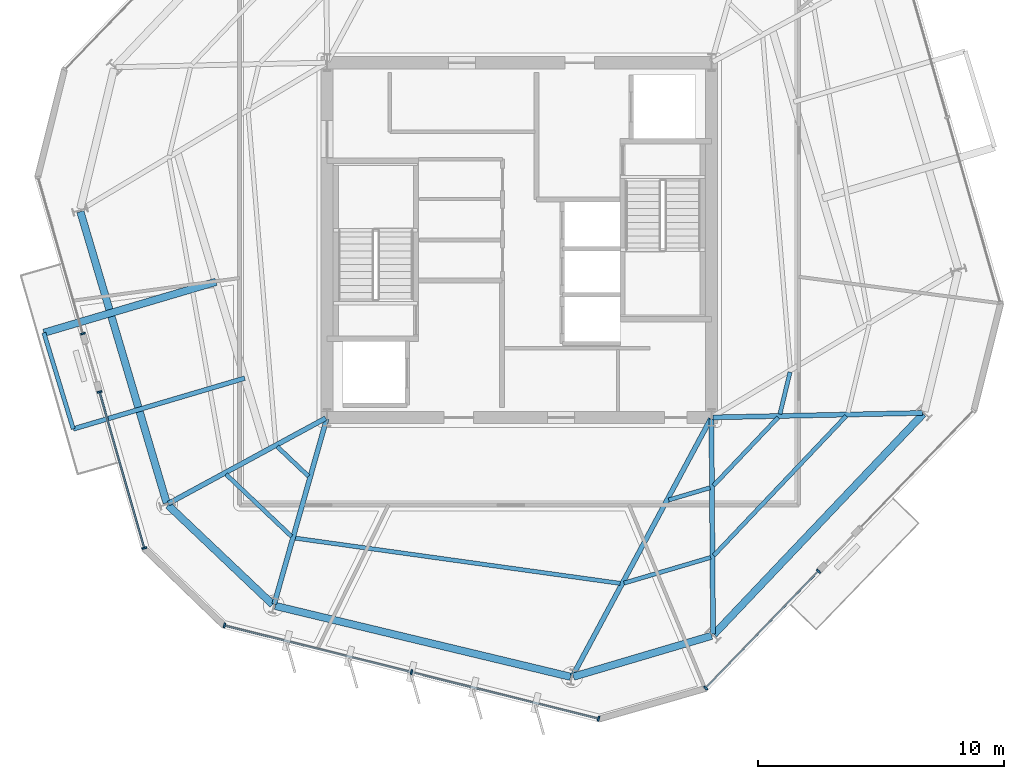
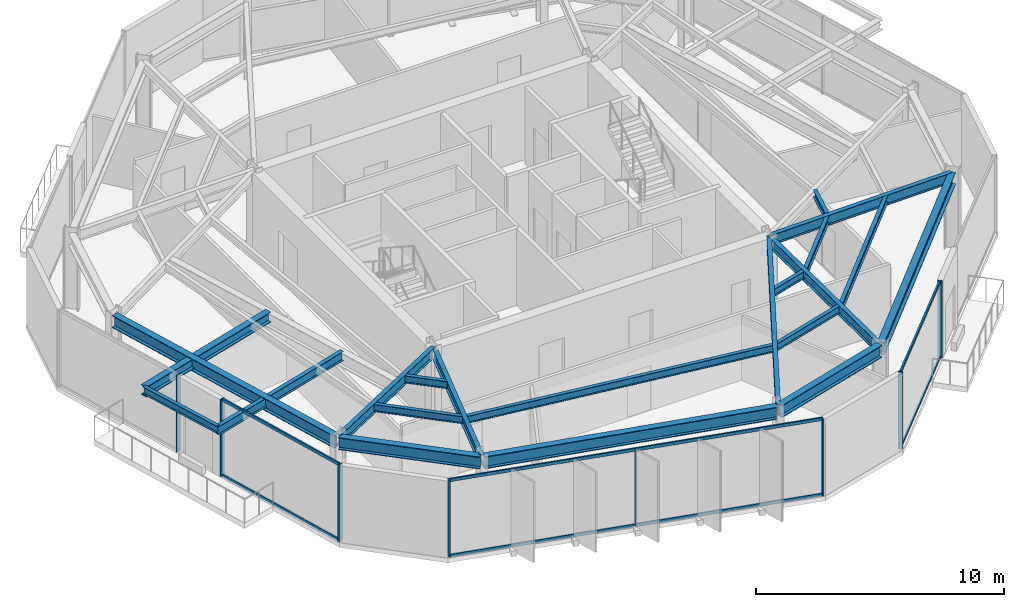
# One storey, part 2 of 11: 21 beams, 16 members, 4 elements without a shape of their own.
"""IFC4 building model written with IfcOpenShell, lengths in metres."""

from ifc_helpers import new_model, si_unit, direction, frame, origin, origin_2d, place, context, subcontext, project, spatial, rectangle, i_section, extrude, material, layer, layer_set, material_profile, profile_set, type_object, element, aggregate, save


model = new_model("IFC4")

# Units and contexts
model_context = context("Model", 3, precision=1e-05, world=origin(), true_north=direction((0.0, 1.0)))
body_context = subcontext(model_context, "Body", "Model", "MODEL_VIEW")
ifc_project = project(units=[si_unit("LENGTHUNIT", "METRE"), si_unit("AREAUNIT", "SQUARE_METRE"), si_unit("VOLUMEUNIT", "CUBIC_METRE"), si_unit("PLANEANGLEUNIT", "RADIAN"), si_unit("MASSUNIT", "GRAM", prefix="KILO")], contexts=[model_context])

# Site, building, storey
site_placement = place(None, origin())
site = spatial("IfcSite", under=ifc_project, at=site_placement, CompositionType="ELEMENT")
building_placement = place(site_placement, origin())
building = spatial("IfcBuilding", under=site, at=building_placement, Name="Kranzbogen Civic Tower", CompositionType="ELEMENT")
storey_placement = place(building_placement, frame((0.0, 0.0, 208.800048828125)))
storey = spatial("IfcBuildingStorey", under=building, at=storey_placement, Name="L50", CompositionType="ELEMENT", Elevation=208.800048828125)

# Beam
ifc_material_1 = material(Name="Steel S355", Category="steel")
ifc_material_profile_1 = material_profile(ifc_material_1, i_section(OverallWidth=0.18994140625, OverallDepth=0.449951171875, WebThickness=0.009521484375, FlangeThickness=0.0146484375, at=origin_2d()), Name="IPE 450")
ifc_profile_set_1 = profile_set([ifc_material_profile_1], Name="Steel S355")
beam_type_1 = type_object("IfcBeamType", Name="Braced Terrace Edge Beam IPE 450", PredefinedType="BEAM", material=ifc_profile_set_1)
beam_1_placement = place(storey_placement, frame((13.85791015625, 19.39404296875, 3.52490234375), z_axis=(-0.958820509995, -0.284012727908, 0.0), x_axis=(0.284012727908, -0.958820509995, 0.0)))
element("IfcBeam", 1, at=beam_1_placement, inside=storey, type_object=beam_type_1, Name="L51 back-spanned terrace beam L51-TB1-2", PredefinedType="BEAM", context=body_context, shape_type="SweptSolid", body=[
    extrude(i_section(OverallWidth=0.18994140625, OverallDepth=0.449951171875, WebThickness=0.009521484375, FlangeThickness=0.0146484375, at=origin_2d()), origin(), (0.0, 0.0, 1.0), 7.2568359375),
])

# Curtain wall, member
ifc_material_2 = material(Name="Pale Anodised Aluminium", Category="aluminium")
ifc_layer = layer(ifc_material_2, 0.219970703125, Name="Pale Anodised Aluminium")
ifc_layer_set = layer_set([ifc_layer], Name="Pale Anodised Aluminium")
curtain_wall_type = type_object("IfcCurtainWallType", Name="Zone 3 Stick Curtain Wall System CW-04", PredefinedType="USERDEFINED", material=ifc_layer_set)
curtain_wall_1_placement = place(storey_placement, origin())
curtain_wall_1 = element("IfcCurtainWall", 2, at=curtain_wall_1_placement, inside=storey, type_object=curtain_wall_type, Name="L50 curtain wall CW-L50-F3-S1", ObjectType="STICK CURTAIN WALL", PredefinedType="USERDEFINED")
ifc_material_profile_2 = material_profile(ifc_material_2, rectangle(XDim=0.070068359375, YDim=0.199951171875, at=origin_2d()), Name="ALU-M 70x200")
ifc_profile_set_2 = profile_set([ifc_material_profile_2], Name="Pale Anodised Aluminium")
member_type_1 = type_object("IfcMemberType", Name="Curtain Wall Mullion ALU-M 70x200", PredefinedType="MULLION", material=ifc_profile_set_2)
member_1_placement = place(storey_placement, frame((7.289794921875, 21.200927734375, 0.0), z_axis=(0.0, 0.0, 1.0), x_axis=(0.275594278919, -0.961274046996, 0.0)))
member_1 = element("IfcMember", 3, at=member_1_placement, type_object=member_type_1, Name="CW-04 mullion 2", PredefinedType="MULLION", context=body_context, shape_type="SweptSolid", body=[
    extrude(rectangle(XDim=0.070068359375, YDim=0.199951171875, at=origin_2d()), origin(), (0.0, 0.0, 1.0), 3.780029296875),
])
aggregate(curtain_wall_1, [member_1])

# Curtain wall, members
curtain_wall_2_placement = place(storey_placement, origin())
curtain_wall_2 = element("IfcCurtainWall", 4, at=curtain_wall_2_placement, inside=storey, type_object=curtain_wall_type, Name="L50 curtain wall CW-L50-F3-S2", ObjectType="STICK CURTAIN WALL", PredefinedType="USERDEFINED")
member_2_placement = place(storey_placement, frame((7.96728515625, 18.836181640625, 0.0), z_axis=(0.0, 0.0, 1.0), x_axis=(0.275634094063, -0.961262631225, 0.0)))
member_2 = element("IfcMember", 5, at=member_2_placement, type_object=member_type_1, Name="CW-04 mullion 1", PredefinedType="MULLION", context=body_context, shape_type="SweptSolid", body=[
    extrude(rectangle(XDim=0.070068359375, YDim=0.199951171875, at=origin_2d()), origin(), (0.0, 0.0, 1.0), 3.780029296875),
])
member_3_placement = place(storey_placement, frame((9.78466796875, 12.497802734375, 0.0), z_axis=(0.0, 0.0, 1.0), x_axis=(0.275634094063, -0.961262631225, 0.0)))
member_3 = element("IfcMember", 6, at=member_3_placement, type_object=member_type_1, Name="CW-04 mullion 2", PredefinedType="MULLION", context=body_context, shape_type="SweptSolid", body=[
    extrude(rectangle(XDim=0.070068359375, YDim=0.199951171875, at=origin_2d()), origin(), (0.0, 0.0, 1.0), 3.780029296875),
])

curtain_wall_3_placement = place(storey_placement, origin())
curtain_wall_3 = element("IfcCurtainWall", 7, at=curtain_wall_3_placement, inside=storey, type_object=curtain_wall_type, Name="L50 curtain wall CW-L50-F4", ObjectType="STICK CURTAIN WALL", PredefinedType="USERDEFINED")
member_4_placement = place(storey_placement, frame((13.0361328125, 9.357666015625, 0.0), z_axis=(0.0, 0.0, 1.0), x_axis=(0.970299572817, -0.241906467442, 0.0)))
member_4 = element("IfcMember", 8, at=member_4_placement, type_object=member_type_1, Name="CW-04 mullion 1", PredefinedType="MULLION", context=body_context, shape_type="SweptSolid", body=[
    extrude(rectangle(XDim=0.070068359375, YDim=0.199951171875, at=origin_2d()), origin(), (0.0, 0.0, 1.0), 3.780029296875),
])
member_5_placement = place(storey_placement, frame((20.6279296875, 7.465087890625, 0.0), z_axis=(0.0, 0.0, 1.0), x_axis=(0.970299572817, -0.241906467442, 0.0)))
member_5 = element("IfcMember", 9, at=member_5_placement, type_object=member_type_1, Name="CW-04 mullion 2", PredefinedType="MULLION", context=body_context, shape_type="SweptSolid", body=[
    extrude(rectangle(XDim=0.070068359375, YDim=0.199951171875, at=origin_2d()), origin(), (0.0, 0.0, 1.0), 3.780029296875),
])
member_6_placement = place(storey_placement, frame((28.219970703125, 5.572265625, 0.0), z_axis=(0.0, 0.0, 1.0), x_axis=(0.970299572817, -0.241906467442, 0.0)))
member_6 = element("IfcMember", 10, at=member_6_placement, type_object=member_type_1, Name="CW-04 mullion 3", PredefinedType="MULLION", context=body_context, shape_type="SweptSolid", body=[
    extrude(rectangle(XDim=0.070068359375, YDim=0.199951171875, at=origin_2d()), origin(), (0.0, 0.0, 1.0), 3.780029296875),
])

curtain_wall_4_placement = place(storey_placement, origin())
curtain_wall_4 = element("IfcCurtainWall", 11, at=curtain_wall_4_placement, inside=storey, type_object=curtain_wall_type, Name="L50 curtain wall CW-L50-F5-S1", ObjectType="STICK CURTAIN WALL", PredefinedType="USERDEFINED")
member_7_placement = place(storey_placement, frame((32.563720703125, 6.817626953125, 0.0), z_axis=(0.0, 0.0, 1.0), x_axis=(0.694677640583, 0.719321190897, 0.0)))
member_7 = element("IfcMember", 12, at=member_7_placement, type_object=member_type_1, Name="CW-04 mullion 1", PredefinedType="MULLION", context=body_context, shape_type="SweptSolid", body=[
    extrude(rectangle(XDim=0.070068359375, YDim=0.199951171875, at=origin_2d()), origin(), (0.0, 0.0, 1.0), 3.780029296875),
])
member_8_placement = place(storey_placement, frame((37.145263671875, 11.5615234375, 0.0), z_axis=(0.0, 0.0, 1.0), x_axis=(0.694677640583, 0.719321190897, 0.0)))
member_8 = element("IfcMember", 13, at=member_8_placement, type_object=member_type_1, Name="CW-04 mullion 2", PredefinedType="MULLION", context=body_context, shape_type="SweptSolid", body=[
    extrude(rectangle(XDim=0.070068359375, YDim=0.199951171875, at=origin_2d()), origin(), (0.0, 0.0, 1.0), 3.780029296875),
])

# Member
ifc_material_profile_3 = material_profile(ifc_material_2, rectangle(XDim=0.070068359375, YDim=0.14990234375, at=origin_2d()), Name="ALU-T 70x150")
ifc_profile_set_3 = profile_set([ifc_material_profile_3], Name="Pale Anodised Aluminium")
member_type_2 = type_object("IfcMemberType", Name="Curtain Wall Transom ALU-T 70x150", PredefinedType="USERDEFINED", material=ifc_profile_set_3)
member_9_placement = place(storey_placement, frame((7.9755859375, 18.807373046875, 0.030029296875), z_axis=(0.275609327053, -0.961269732615, 0.0), x_axis=(0.961269732615, 0.275609327053, 0.0)))
member_9 = element("IfcMember", 14, at=member_9_placement, type_object=member_type_2, Name="CW-04 transom 1.1", ObjectType="TRANSOM", PredefinedType="USERDEFINED", context=body_context, shape_type="SweptSolid", body=[
    extrude(rectangle(XDim=0.070068359375, YDim=0.14990234375, at=origin_2d()), origin(), (0.0, 0.0, 1.0), 6.533935546875),
])

member_10_placement = place(storey_placement, frame((7.9755859375, 18.807373046875, 3.75), z_axis=(0.275609327053, -0.961269732615, 0.0), x_axis=(0.961269732615, 0.275609327053, 0.0)))
member_10 = element("IfcMember", 15, at=member_10_placement, type_object=member_type_2, Name="CW-04 transom 1.2", ObjectType="TRANSOM", PredefinedType="USERDEFINED", context=body_context, shape_type="SweptSolid", body=[
    extrude(rectangle(XDim=0.070068359375, YDim=0.14990234375, at=origin_2d()), origin(), (0.0, 0.0, 1.0), 6.533935546875),
])

aggregate(curtain_wall_2, [member_2, member_3, member_9, member_10])

member_11_placement = place(storey_placement, frame((13.065185546875, 9.3505859375, 0.030029296875), z_axis=(0.970293980732, -0.241928896486, 0.0), x_axis=(0.241928896486, 0.970293980732, 0.0)))
member_11 = element("IfcMember", 16, at=member_11_placement, type_object=member_type_2, Name="CW-04 transom 1.1", ObjectType="TRANSOM", PredefinedType="USERDEFINED", context=body_context, shape_type="SweptSolid", body=[
    extrude(rectangle(XDim=0.070068359375, YDim=0.14990234375, at=origin_2d()), origin(), (0.0, 0.0, 1.0), 7.764404296875),
])

member_12_placement = place(storey_placement, frame((13.065185546875, 9.3505859375, 3.75), z_axis=(0.970293980732, -0.241928896486, 0.0), x_axis=(0.241928896486, 0.970293980732, 0.0)))
member_12 = element("IfcMember", 17, at=member_12_placement, type_object=member_type_2, Name="CW-04 transom 1.2", ObjectType="TRANSOM", PredefinedType="USERDEFINED", context=body_context, shape_type="SweptSolid", body=[
    extrude(rectangle(XDim=0.070068359375, YDim=0.14990234375, at=origin_2d()), origin(), (0.0, 0.0, 1.0), 7.764404296875),
])

member_13_placement = place(storey_placement, frame((20.6572265625, 7.457763671875, 0.030029296875), z_axis=(0.970299521488, -0.241906673326, 0.0), x_axis=(0.241906673326, 0.970299521488, 0.0)))
member_13 = element("IfcMember", 18, at=member_13_placement, type_object=member_type_2, Name="CW-04 transom 2.1", ObjectType="TRANSOM", PredefinedType="USERDEFINED", context=body_context, shape_type="SweptSolid", body=[
    extrude(rectangle(XDim=0.070068359375, YDim=0.14990234375, at=origin_2d()), origin(), (0.0, 0.0, 1.0), 7.76416015625),
])

member_14_placement = place(storey_placement, frame((20.6572265625, 7.457763671875, 3.75), z_axis=(0.970299521488, -0.241906673326, 0.0), x_axis=(0.241906673326, 0.970299521488, 0.0)))
member_14 = element("IfcMember", 19, at=member_14_placement, type_object=member_type_2, Name="CW-04 transom 2.2", ObjectType="TRANSOM", PredefinedType="USERDEFINED", context=body_context, shape_type="SweptSolid", body=[
    extrude(rectangle(XDim=0.070068359375, YDim=0.14990234375, at=origin_2d()), origin(), (0.0, 0.0, 1.0), 7.76416015625),
])

aggregate(curtain_wall_3, [member_4, member_5, member_6, member_11, member_12, member_13, member_14])

member_15_placement = place(storey_placement, frame((32.584716796875, 6.839111328125, 0.030029296875), z_axis=(0.694670517161, 0.719328070207, 0.0), x_axis=(-0.719328070207, 0.694670517161, 0.0)))
member_15 = element("IfcMember", 20, at=member_15_placement, type_object=member_type_2, Name="CW-04 transom 1.1", ObjectType="TRANSOM", PredefinedType="USERDEFINED", context=body_context, shape_type="SweptSolid", body=[
    extrude(rectangle(XDim=0.070068359375, YDim=0.14990234375, at=origin_2d()), origin(), (0.0, 0.0, 1.0), 6.534912109375),
])

member_16_placement = place(storey_placement, frame((32.584716796875, 6.839111328125, 3.75), z_axis=(0.694670517161, 0.719328070207, 0.0), x_axis=(-0.719328070207, 0.694670517161, 0.0)))
member_16 = element("IfcMember", 21, at=member_16_placement, type_object=member_type_2, Name="CW-04 transom 1.2", ObjectType="TRANSOM", PredefinedType="USERDEFINED", context=body_context, shape_type="SweptSolid", body=[
    extrude(rectangle(XDim=0.070068359375, YDim=0.14990234375, at=origin_2d()), origin(), (0.0, 0.0, 1.0), 6.534912109375),
])

aggregate(curtain_wall_4, [member_7, member_8, member_15, member_16])

# Beams
ifc_material_profile_4 = material_profile(ifc_material_1, i_section(OverallWidth=0.300048828125, OverallDepth=0.5, WebThickness=0.014404296875, FlangeThickness=0.028076171875, at=origin_2d()), Name="HEB 500")
ifc_profile_set_4 = profile_set([ifc_material_profile_4], Name="Steel S355")
beam_type_2 = type_object("IfcBeamType", Name="Perimeter Tube Spandrel Beam HEB 500", PredefinedType="SPANDREL", material=ifc_profile_set_4)
beam_2_placement = place(storey_placement, frame((12.69091796875, 23.303955078125, 3.5), z_axis=(-0.958804199762, -0.284067785077, 0.0), x_axis=(0.284067785077, -0.958804199762, 0.0)))
element("IfcBeam", 22, at=beam_2_placement, inside=storey, type_object=beam_type_2, Name="L51 back-spanned terrace beam L51-TB1-1", PredefinedType="SPANDREL", context=body_context, shape_type="SweptSolid", body=[
    extrude(i_section(OverallWidth=0.300048828125, OverallDepth=0.5, WebThickness=0.014404296875, FlangeThickness=0.028076171875, at=origin_2d()), origin(), (0.0, 0.0, 1.0), 7.282958984375),
])
ifc_material_profile_5 = material_profile(ifc_material_1, i_section(OverallWidth=0.300048828125, OverallDepth=0.60009765625, WebThickness=0.015380859375, FlangeThickness=0.030029296875, at=origin_2d()), Name="HEB 600")
ifc_profile_set_5 = profile_set([ifc_material_profile_5], Name="Steel S355")
beam_type_3 = type_object("IfcBeamType", Name="Perimeter Tube Spandrel Beam HEB 600", PredefinedType="SPANDREL", material=ifc_profile_set_5)
beam_3_placement = place(storey_placement, frame((10.7509765625, 14.235107421875, 3.47998046875), z_axis=(0.725245206788, -0.688490660816, 0.0), x_axis=(0.688490660816, 0.725245206788, 0.0)))
element("IfcBeam", 23, at=beam_3_placement, inside=storey, type_object=beam_type_3, Name="L50 perimeter spandrel beam 01", PredefinedType="SPANDREL", context=body_context, shape_type="SweptSolid", body=[
    extrude(i_section(OverallWidth=0.300048828125, OverallDepth=0.60009765625, WebThickness=0.015380859375, FlangeThickness=0.030029296875, at=origin_2d()), origin(), (0.0, 0.0, 1.0), 5.85205078125),
])
beam_4_placement = place(storey_placement, frame((15.096923828125, 10.15087890625, 3.47998046875), z_axis=(0.972377592092, -0.233413406637, 0.0), x_axis=(0.233413406637, 0.972377592092, 0.0)))
element("IfcBeam", 24, at=beam_4_placement, inside=storey, type_object=beam_type_3, Name="L50 perimeter spandrel beam 02", PredefinedType="SPANDREL", context=body_context, shape_type="SweptSolid", body=[
    extrude(i_section(OverallWidth=0.300048828125, OverallDepth=0.60009765625, WebThickness=0.015380859375, FlangeThickness=0.030029296875, at=origin_2d()), origin(), (0.0, 0.0, 1.0), 12.32568359375),
])
beam_5_placement = place(storey_placement, frame((27.197998046875, 7.277099609375, 3.47998046875), z_axis=(0.9588296723, 0.283981794341, 0.0), x_axis=(-0.283981794341, 0.9588296723, 0.0)))
element("IfcBeam", 25, at=beam_5_placement, inside=storey, type_object=beam_type_3, Name="L50 perimeter spandrel beam 03", PredefinedType="SPANDREL", context=body_context, shape_type="SweptSolid", body=[
    extrude(i_section(OverallWidth=0.300048828125, OverallDepth=0.60009765625, WebThickness=0.015380859375, FlangeThickness=0.030029296875, at=origin_2d()), origin(), (0.0, 0.0, 1.0), 5.85205078125),
])
beam_6_placement = place(storey_placement, frame((32.907958984375, 9.0, 3.47998046875), z_axis=(0.688373497874, 0.725356414065, 0.0), x_axis=(-0.725356414065, 0.688373497874, 0.0)))
element("IfcBeam", 26, at=beam_6_placement, inside=storey, type_object=beam_type_3, Name="L50 perimeter spandrel beam 04", PredefinedType="SPANDREL", context=body_context, shape_type="SweptSolid", body=[
    extrude(i_section(OverallWidth=0.300048828125, OverallDepth=0.60009765625, WebThickness=0.015380859375, FlangeThickness=0.030029296875, at=origin_2d()), origin(), (0.0, 0.0, 1.0), 12.324951171875),
])
beam_7_placement = place(storey_placement, frame((7.18896484375, 26.15087890625, 3.47998046875), z_axis=(0.284064048956, -0.958805306666, 0.0), x_axis=(0.958805306666, 0.284064048956, 0.0)))
element("IfcBeam", 27, at=beam_7_placement, inside=storey, type_object=beam_type_3, Name="L50 perimeter spandrel beam 12", PredefinedType="SPANDREL", context=body_context, shape_type="SweptSolid", body=[
    extrude(i_section(OverallWidth=0.300048828125, OverallDepth=0.60009765625, WebThickness=0.015380859375, FlangeThickness=0.030029296875, at=origin_2d()), origin(), (0.0, 0.0, 1.0), 12.32470703125),
])
ifc_material_profile_6 = material_profile(ifc_material_1, i_section(OverallWidth=0.199951171875, OverallDepth=0.5, WebThickness=0.01025390625, FlangeThickness=0.01611328125, at=origin_2d()), Name="IPE 500")
ifc_profile_set_6 = profile_set([ifc_material_profile_6], Name="Steel S355")
beam_type_4 = type_object("IfcBeamType", Name="Radial Tower Floor Girder IPE 500", PredefinedType="BEAM", material=ifc_profile_set_6)
beam_8_placement = place(storey_placement, frame((10.760009765625, 14.304931640625, 3.530029296875), z_axis=(0.878919430102, 0.476970266777, 0.0), x_axis=(-0.476970266777, 0.878919430102, 0.0)))
element("IfcBeam", 28, at=beam_8_placement, inside=storey, type_object=beam_type_4, Name="L50 radial floor girder 01", PredefinedType="BEAM", context=body_context, shape_type="SweptSolid", body=[
    extrude(i_section(OverallWidth=0.199951171875, OverallDepth=0.5, WebThickness=0.01025390625, FlangeThickness=0.01611328125, at=origin_2d()), origin(), (0.0, 0.0, 1.0), 7.266845703125),
])
beam_9_placement = place(storey_placement, frame((15.054931640625, 10.222900390625, 3.530029296875), z_axis=(0.272455078988, 0.962168503919, 0.0), x_axis=(-0.962168503919, 0.272455078988, 0.0)))
element("IfcBeam", 29, at=beam_9_placement, inside=storey, type_object=beam_type_4, Name="L50 radial floor girder 02", PredefinedType="BEAM", context=body_context, shape_type="SweptSolid", body=[
    extrude(i_section(OverallWidth=0.199951171875, OverallDepth=0.5, WebThickness=0.01025390625, FlangeThickness=0.01611328125, at=origin_2d()), origin(), (0.0, 0.0, 1.0), 7.814697265625),
])
beam_10_placement = place(storey_placement, frame((27.16796875, 7.31298828125, 3.530029296875), z_axis=(0.473160413549, 0.880976289721, 0.0), x_axis=(-0.880976289721, 0.473160413549, 0.0)))
element("IfcBeam", 30, at=beam_10_placement, inside=storey, type_object=beam_type_4, Name="L50 radial floor girder 03", PredefinedType="BEAM", context=body_context, shape_type="SweptSolid", body=[
    extrude(i_section(OverallWidth=0.199951171875, OverallDepth=0.5, WebThickness=0.01025390625, FlangeThickness=0.01611328125, at=origin_2d()), origin(), (0.0, 0.0, 1.0), 11.84375),
])
beam_11_placement = place(storey_placement, frame((32.866943359375, 9.01611328125, 3.530029296875), z_axis=(-0.007667756557, 0.999970602323, 0.0), x_axis=(-0.999970602323, -0.007667756557, 0.0)))
element("IfcBeam", 31, at=beam_11_placement, inside=storey, type_object=beam_type_4, Name="L50 radial floor girder 04", PredefinedType="BEAM", context=body_context, shape_type="SweptSolid", body=[
    extrude(i_section(OverallWidth=0.199951171875, OverallDepth=0.5, WebThickness=0.01025390625, FlangeThickness=0.01611328125, at=origin_2d()), origin(), (0.0, 0.0, 1.0), 8.72412109375),
])
beam_12_placement = place(storey_placement, frame((41.373046875, 17.98291015625, 3.530029296875), z_axis=(-0.99977183191, -0.021360808018, 0.0), x_axis=(0.021360808018, -0.99977183191, 0.0)))
element("IfcBeam", 32, at=beam_12_placement, inside=storey, type_object=beam_type_4, Name="L50 radial floor girder 05", PredefinedType="BEAM", context=body_context, shape_type="SweptSolid", body=[
    extrude(i_section(OverallWidth=0.199951171875, OverallDepth=0.5, WebThickness=0.01025390625, FlangeThickness=0.01611328125, at=origin_2d()), origin(), (0.0, 0.0, 1.0), 8.514892578125),
])
ifc_material_profile_7 = material_profile(ifc_material_1, i_section(OverallWidth=0.169921875, OverallDepth=0.360107421875, WebThickness=0.008056640625, FlangeThickness=0.0126953125, at=origin_2d()), Name="IPE 360")
ifc_profile_set_7 = profile_set([ifc_material_profile_7], Name="Steel S355")
beam_type_5 = type_object("IfcBeamType", Name="Secondary Composite Floor Joist IPE 360", PredefinedType="JOIST", material=ifc_profile_set_7)
beam_13_placement = place(storey_placement, frame((13.10302734375, 15.489990234375, 3.599853515625), z_axis=(0.725300648604, -0.688432254572, 0.0), x_axis=(0.688432254572, 0.725300648604, 0.0)))
element("IfcBeam", 33, at=beam_13_placement, inside=storey, type_object=beam_type_5, Name="L50 secondary floor joist 1.01", PredefinedType="JOIST", context=body_context, shape_type="SweptSolid", body=[
    extrude(i_section(OverallWidth=0.169921875, OverallDepth=0.360107421875, WebThickness=0.008056640625, FlangeThickness=0.0126953125, at=origin_2d()), origin(), (0.0, 0.0, 1.0), 3.661865234375),
])
beam_14_placement = place(storey_placement, frame((15.179931640625, 16.616943359375, 3.599853515625), z_axis=(0.725479767774, -0.688243493649, 0.0), x_axis=(0.688243493649, 0.725479767774, 0.0)))
element("IfcBeam", 34, at=beam_14_placement, inside=storey, type_object=beam_type_5, Name="L50 secondary floor joist 2.01", PredefinedType="JOIST", context=body_context, shape_type="SweptSolid", body=[
    extrude(i_section(OverallWidth=0.169921875, OverallDepth=0.360107421875, WebThickness=0.008056640625, FlangeThickness=0.0126953125, at=origin_2d()), origin(), (0.0, 0.0, 1.0), 1.75048828125),
])
beam_15_placement = place(storey_placement, frame((15.89599609375, 12.903076171875, 3.599853515625), z_axis=(0.990445837232, -0.137902296968, 0.0), x_axis=(0.137902296968, 0.990445837232, 0.0)))
element("IfcBeam", 35, at=beam_15_placement, inside=storey, type_object=beam_type_5, Name="L50 secondary floor joist 1.02", PredefinedType="JOIST", context=body_context, shape_type="SweptSolid", body=[
    extrude(i_section(OverallWidth=0.169921875, OverallDepth=0.360107421875, WebThickness=0.008056640625, FlangeThickness=0.0126953125, at=origin_2d()), origin(), (0.0, 0.0, 1.0), 13.329345703125),
])
beam_16_placement = place(storey_placement, frame((29.25390625, 11.076904296875, 3.599853515625), z_axis=(0.958843823165, 0.283934011309, 0.0), x_axis=(-0.283934011309, 0.958843823165, 0.0)))
element("IfcBeam", 36, at=beam_16_placement, inside=storey, type_object=beam_type_5, Name="L50 secondary floor joist 1.03", PredefinedType="JOIST", context=body_context, shape_type="SweptSolid", body=[
    extrude(i_section(OverallWidth=0.169921875, OverallDepth=0.360107421875, WebThickness=0.008056640625, FlangeThickness=0.0126953125, at=origin_2d()), origin(), (0.0, 0.0, 1.0), 3.662841796875),
])
beam_17_placement = place(storey_placement, frame((31.06591796875, 14.449951171875, 3.599853515625), z_axis=(0.958871214757, 0.283841493638, 0.0), x_axis=(-0.283841493638, 0.958871214757, 0.0)))
element("IfcBeam", 37, at=beam_17_placement, inside=storey, type_object=beam_type_5, Name="L50 secondary floor joist 2.03", PredefinedType="JOIST", context=body_context, shape_type="SweptSolid", body=[
    extrude(i_section(OverallWidth=0.169921875, OverallDepth=0.360107421875, WebThickness=0.008056640625, FlangeThickness=0.0126953125, at=origin_2d()), origin(), (0.0, 0.0, 1.0), 1.751220703125),
])
beam_18_placement = place(storey_placement, frame((32.89794921875, 12.197998046875, 3.599853515625), z_axis=(0.688282381634, 0.725442873789, 0.0), x_axis=(-0.725442873789, 0.688282381634, 0.0)))
element("IfcBeam", 38, at=beam_18_placement, inside=storey, type_object=beam_type_5, Name="L50 secondary floor joist 1.04", PredefinedType="JOIST", context=body_context, shape_type="SweptSolid", body=[
    extrude(i_section(OverallWidth=0.169921875, OverallDepth=0.360107421875, WebThickness=0.008056640625, FlangeThickness=0.0126953125, at=origin_2d()), origin(), (0.0, 0.0, 1.0), 7.804931640625),
])
beam_19_placement = place(storey_placement, frame((32.876953125, 15.028076171875, 3.599853515625), z_axis=(0.688175084876, 0.725544659243, 0.0), x_axis=(-0.725544659243, 0.688175084876, 0.0)))
element("IfcBeam", 39, at=beam_19_placement, inside=storey, type_object=beam_type_5, Name="L50 secondary floor joist 2.04", PredefinedType="JOIST", context=body_context, shape_type="SweptSolid", body=[
    extrude(i_section(OverallWidth=0.169921875, OverallDepth=0.360107421875, WebThickness=0.008056640625, FlangeThickness=0.0126953125, at=origin_2d()), origin(), (0.0, 0.0, 1.0), 3.82177734375),
])
beam_20_placement = place(storey_placement, frame((35.5810546875, 17.93701171875, 3.599853515625), z_axis=(0.233631438607, 0.972325228972, 0.0), x_axis=(-0.972325228972, 0.233631438607, 0.0)))
element("IfcBeam", 40, at=beam_20_placement, inside=storey, type_object=beam_type_5, Name="L50 secondary floor joist 2.05", PredefinedType="JOIST", context=body_context, shape_type="SweptSolid", body=[
    extrude(i_section(OverallWidth=0.169921875, OverallDepth=0.360107421875, WebThickness=0.008056640625, FlangeThickness=0.0126953125, at=origin_2d()), origin(), (0.0, 0.0, 1.0), 1.750244140625),
])
beam_21_placement = place(storey_placement, frame((5.7080078125, 21.235107421875, 3.570068359375), z_axis=(0.292125801158, -0.956379901659, 0.0), x_axis=(0.956379901659, 0.292125801158, 0.0)))
element("IfcBeam", 41, at=beam_21_placement, inside=storey, type_object=beam_type_5, Name="L51 terrace outer edge trimmer L51-TB1", PredefinedType="JOIST", context=body_context, shape_type="SweptSolid", body=[
    extrude(i_section(OverallWidth=0.169921875, OverallDepth=0.360107421875, WebThickness=0.008056640625, FlangeThickness=0.0126953125, at=origin_2d()), origin(), (0.0, 0.0, 1.0), 4.080078125),
])

save(model, "model.ifc")
